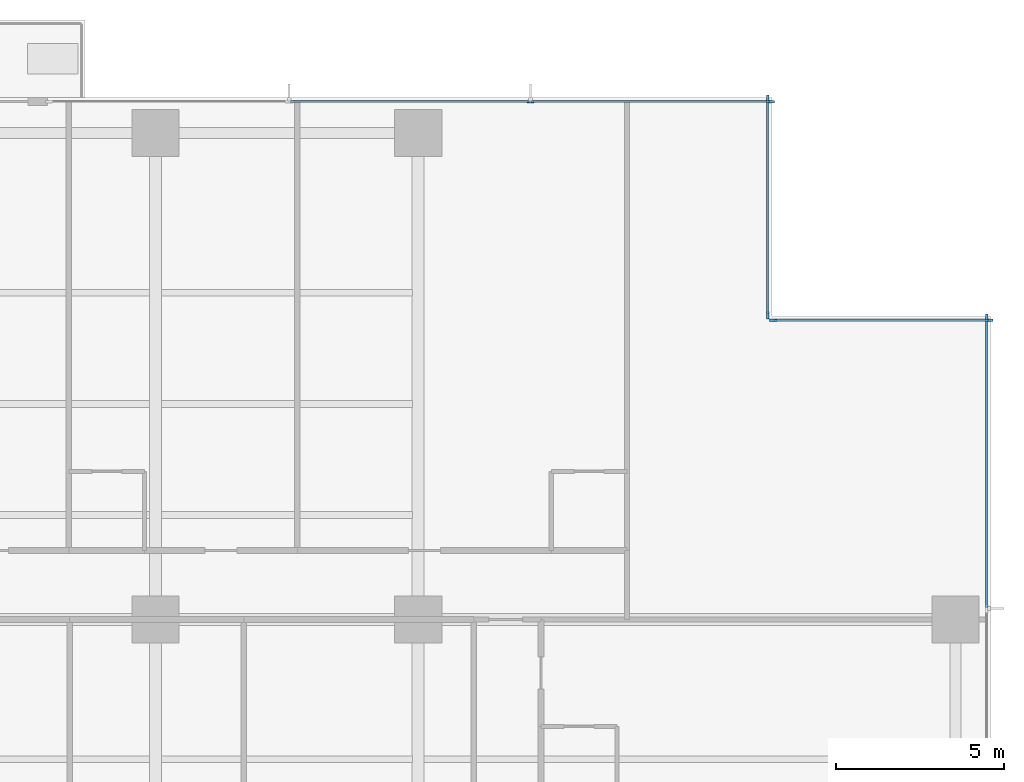
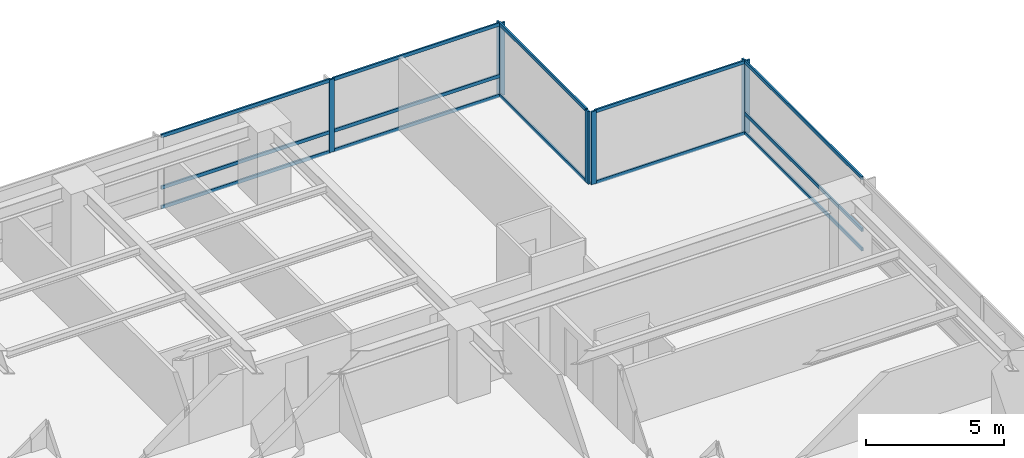
# One storey, part 5 of 16: 20 members, 4 elements without a shape of their own.
"""IFC4 building model written with IfcOpenShell, lengths in metres."""

from ifc_helpers import new_model, si_unit, direction, frame, origin, origin_2d, place, context, subcontext, project, spatial, rectangle, extrude, material, layer, layer_set, material_profile, profile_set, type_object, element, aggregate, save


model = new_model("IFC4")

# Units and contexts
model_context = context("Model", 3, precision=1e-05, world=origin(), true_north=direction((0.0, 1.0)))
body_context = subcontext(model_context, "Body", "Model", "MODEL_VIEW")
ifc_project = project(units=[si_unit("LENGTHUNIT", "METRE"), si_unit("AREAUNIT", "SQUARE_METRE"), si_unit("VOLUMEUNIT", "CUBIC_METRE"), si_unit("PLANEANGLEUNIT", "RADIAN"), si_unit("MASSUNIT", "GRAM", prefix="KILO")], contexts=[model_context])

# Site, building, storey
site_placement = place(None, origin())
site = spatial("IfcSite", under=ifc_project, at=site_placement, CompositionType="ELEMENT")
building_placement = place(site_placement, origin())
building = spatial("IfcBuilding", under=site, at=building_placement, Name="Qalmaran Belvedere Hotel", CompositionType="ELEMENT")
storey_placement = place(building_placement, frame((0.0, 0.0, 36.89990234375)))
storey = spatial("IfcBuildingStorey", under=building, at=storey_placement, Name="L08", CompositionType="ELEMENT", Elevation=36.89990234375)

# Curtain wall, member
ifc_material = material(Name="Anodised Bronze Aluminium", Category="aluminium")
ifc_layer = layer(ifc_material, 0.2099609375, Name="Anodised Bronze Aluminium")
ifc_layer_set = layer_set([ifc_layer], Name="Anodised Bronze Aluminium")
curtain_wall_type = type_object("IfcCurtainWallType", Name="CW2-TOWER-LOWER", PredefinedType="NOTDEFINED", material=ifc_layer_set)
curtain_wall_1_placement = place(storey_placement, origin())
curtain_wall_1 = element("IfcCurtainWall", 1, at=curtain_wall_1_placement, inside=storey, type_object=curtain_wall_type, Name="L08 Curtain Wall CW2", PredefinedType="NOTDEFINED")
ifc_material_profile_1 = material_profile(ifc_material, rectangle(XDim=0.074951171875, YDim=0.219970703125, at=origin_2d()), Name="CWM75X220")
ifc_profile_set_1 = profile_set([ifc_material_profile_1], Name="Anodised Bronze Aluminium")
member_type_1 = type_object("IfcMemberType", Name="CWM-75X220", PredefinedType="MULLION", material=ifc_profile_set_1)
member_1_placement = place(storey_placement, frame((61.679931640625, 41.96240234375, 0.0), z_axis=(0.0, 0.0, 1.0), x_axis=(-1.0, 0.0, 0.0)))
member_1 = element("IfcMember", 2, at=member_1_placement, type_object=member_type_1, Name="CW2 mullion 5", PredefinedType="MULLION", context=body_context, shape_type="SweptSolid", body=[
    extrude(rectangle(XDim=0.074951171875, YDim=0.219970703125, at=origin_2d()), origin(), (0.0, 0.0, 1.0), 3.22021484375),
])

# Curtain wall, members
curtain_wall_2_placement = place(storey_placement, origin())
curtain_wall_2 = element("IfcCurtainWall", 3, at=curtain_wall_2_placement, inside=storey, type_object=curtain_wall_type, Name="L08 Curtain Wall CW2", PredefinedType="NOTDEFINED")
member_2_placement = place(storey_placement, frame((61.762451171875, 41.8798828125, 0.0), z_axis=(0.0, 0.0, 1.0), x_axis=(0.0, -1.0, 0.0)))
member_2 = element("IfcMember", 4, at=member_2_placement, type_object=member_type_1, Name="CW2 mullion 1", PredefinedType="MULLION", context=body_context, shape_type="SweptSolid", body=[
    extrude(rectangle(XDim=0.074951171875, YDim=0.219970703125, at=origin_2d()), origin(), (0.0, 0.0, 1.0), 3.22021484375),
])
member_3_placement = place(storey_placement, frame((55.33740234375, 41.8798828125, 0.0), z_axis=(0.0, 0.0, 1.0), x_axis=(0.0, -1.0, 0.0)))
member_3 = element("IfcMember", 5, at=member_3_placement, type_object=member_type_1, Name="CW2 mullion 2", PredefinedType="MULLION", context=body_context, shape_type="SweptSolid", body=[
    extrude(rectangle(XDim=0.074951171875, YDim=0.219970703125, at=origin_2d()), origin(), (0.0, 0.0, 1.0), 3.22021484375),
])

curtain_wall_3_placement = place(storey_placement, origin())
curtain_wall_3 = element("IfcCurtainWall", 6, at=curtain_wall_3_placement, inside=storey, type_object=curtain_wall_type, Name="L08 Curtain Wall CW2", PredefinedType="NOTDEFINED")
member_4_placement = place(storey_placement, frame((55.179931640625, 42.03759765625, 0.0), z_axis=(0.0, 0.0, 1.0), x_axis=(-1.0, 0.0, 0.0)))
member_4 = element("IfcMember", 7, at=member_4_placement, type_object=member_type_1, Name="CW2 mullion 1", PredefinedType="MULLION", context=body_context, shape_type="SweptSolid", body=[
    extrude(rectangle(XDim=0.074951171875, YDim=0.219970703125, at=origin_2d()), origin(), (0.0, 0.0, 1.0), 3.22021484375),
])
member_5_placement = place(storey_placement, frame((55.179931640625, 48.46240234375, 0.0), z_axis=(0.0, 0.0, 1.0), x_axis=(-1.0, 0.0, 0.0)))
member_5 = element("IfcMember", 8, at=member_5_placement, type_object=member_type_1, Name="CW2 mullion 2", PredefinedType="MULLION", context=body_context, shape_type="SweptSolid", body=[
    extrude(rectangle(XDim=0.074951171875, YDim=0.219970703125, at=origin_2d()), origin(), (0.0, 0.0, 1.0), 3.22021484375),
])

curtain_wall_4_placement = place(storey_placement, origin())
curtain_wall_4 = element("IfcCurtainWall", 9, at=curtain_wall_4_placement, inside=storey, type_object=curtain_wall_type, Name="L08 Curtain Wall CW2", PredefinedType="NOTDEFINED")
member_6_placement = place(storey_placement, frame((55.262451171875, 48.3798828125, 0.0), z_axis=(0.0, 0.0, 1.0), x_axis=(0.0, -1.0, 0.0)))
member_6 = element("IfcMember", 10, at=member_6_placement, type_object=member_type_1, Name="CW2 mullion 1", PredefinedType="MULLION", context=body_context, shape_type="SweptSolid", body=[
    extrude(rectangle(XDim=0.074951171875, YDim=0.219970703125, at=origin_2d()), origin(), (0.0, 0.0, 1.0), 3.22021484375),
])
member_7_placement = place(storey_placement, frame((48.13330078125, 48.3798828125, 0.0), z_axis=(0.0, 0.0, 1.0), x_axis=(0.0, -1.0, 0.0)))
member_7 = element("IfcMember", 11, at=member_7_placement, type_object=member_type_1, Name="CW2 mullion 2", PredefinedType="MULLION", context=body_context, shape_type="SweptSolid", body=[
    extrude(rectangle(XDim=0.074951171875, YDim=0.219970703125, at=origin_2d()), origin(), (0.0, 0.0, 1.0), 3.22021484375),
])

# Member
ifc_material_profile_2 = material_profile(ifc_material, rectangle(XDim=0.070068359375, YDim=0.14990234375, at=origin_2d()), Name="CWT70X150")
ifc_profile_set_2 = profile_set([ifc_material_profile_2], Name="Anodised Bronze Aluminium")
member_type_2 = type_object("IfcMemberType", Name="CWT-70X150", PredefinedType="USERDEFINED", material=ifc_profile_set_2)
member_8_placement = place(storey_placement, frame((61.679931640625, 33.362548828125, 0.03515625), z_axis=(0.0, 1.0, 0.0), x_axis=(-1.0, 0.0, 0.0)))
member_8 = element("IfcMember", 12, at=member_8_placement, type_object=member_type_2, Name="CW2 transom 4.1", ObjectType="TRANSOM", PredefinedType="USERDEFINED", context=body_context, shape_type="SweptSolid", body=[
    extrude(rectangle(XDim=0.070068359375, YDim=0.14990234375, at=origin_2d()), origin(), (0.0, 0.0, 1.0), 8.5625),
])

member_9_placement = place(storey_placement, frame((61.679931640625, 33.362548828125, 0.901611328125), z_axis=(0.0, 1.0, 0.0), x_axis=(-1.0, 0.0, 0.0)))
member_9 = element("IfcMember", 13, at=member_9_placement, type_object=member_type_2, Name="CW2 transom 4.2", ObjectType="TRANSOM", PredefinedType="USERDEFINED", context=body_context, shape_type="SweptSolid", body=[
    extrude(rectangle(XDim=0.070068359375, YDim=0.14990234375, at=origin_2d()), origin(), (0.0, 0.0, 1.0), 8.5625),
])

member_10_placement = place(storey_placement, frame((61.679931640625, 33.362548828125, 3.18505859375), z_axis=(0.0, 1.0, 0.0), x_axis=(-1.0, 0.0, 0.0)))
member_10 = element("IfcMember", 14, at=member_10_placement, type_object=member_type_2, Name="CW2 transom 4.3", ObjectType="TRANSOM", PredefinedType="USERDEFINED", context=body_context, shape_type="SweptSolid", body=[
    extrude(rectangle(XDim=0.070068359375, YDim=0.14990234375, at=origin_2d()), origin(), (0.0, 0.0, 1.0), 8.5625),
])

aggregate(curtain_wall_1, [member_1, member_8, member_9, member_10])

member_11_placement = place(storey_placement, frame((61.72509765625, 41.8798828125, 0.03515625), z_axis=(-1.0, 0.0, 0.0), x_axis=(0.0, -1.0, 0.0)))
member_11 = element("IfcMember", 15, at=member_11_placement, type_object=member_type_2, Name="CW2 transom 1.1", ObjectType="TRANSOM", PredefinedType="USERDEFINED", context=body_context, shape_type="SweptSolid", body=[
    extrude(rectangle(XDim=0.070068359375, YDim=0.14990234375, at=origin_2d()), origin(), (0.0, 0.0, 1.0), 6.35009765625),
])

member_12_placement = place(storey_placement, frame((61.72509765625, 41.8798828125, 3.18505859375), z_axis=(-1.0, 0.0, 0.0), x_axis=(0.0, -1.0, 0.0)))
member_12 = element("IfcMember", 16, at=member_12_placement, type_object=member_type_2, Name="CW2 transom 1.2", ObjectType="TRANSOM", PredefinedType="USERDEFINED", context=body_context, shape_type="SweptSolid", body=[
    extrude(rectangle(XDim=0.070068359375, YDim=0.14990234375, at=origin_2d()), origin(), (0.0, 0.0, 1.0), 6.35009765625),
])

aggregate(curtain_wall_2, [member_2, member_3, member_11, member_12])

member_13_placement = place(storey_placement, frame((55.179931640625, 42.074951171875, 0.03515625), z_axis=(0.0, 1.0, 0.0), x_axis=(-1.0, 0.0, 0.0)))
member_13 = element("IfcMember", 17, at=member_13_placement, type_object=member_type_2, Name="CW2 transom 1.1", ObjectType="TRANSOM", PredefinedType="USERDEFINED", context=body_context, shape_type="SweptSolid", body=[
    extrude(rectangle(XDim=0.070068359375, YDim=0.14990234375, at=origin_2d()), origin(), (0.0, 0.0, 1.0), 6.35009765625),
])

member_14_placement = place(storey_placement, frame((55.179931640625, 42.074951171875, 3.18505859375), z_axis=(0.0, 1.0, 0.0), x_axis=(-1.0, 0.0, 0.0)))
member_14 = element("IfcMember", 18, at=member_14_placement, type_object=member_type_2, Name="CW2 transom 1.2", ObjectType="TRANSOM", PredefinedType="USERDEFINED", context=body_context, shape_type="SweptSolid", body=[
    extrude(rectangle(XDim=0.070068359375, YDim=0.14990234375, at=origin_2d()), origin(), (0.0, 0.0, 1.0), 6.35009765625),
])

aggregate(curtain_wall_3, [member_4, member_5, member_13, member_14])

member_15_placement = place(storey_placement, frame((55.22509765625, 48.3798828125, 0.03515625), z_axis=(-1.0, 0.0, 0.0), x_axis=(0.0, -1.0, 0.0)))
member_15 = element("IfcMember", 19, at=member_15_placement, type_object=member_type_2, Name="CW2 transom 1.1", ObjectType="TRANSOM", PredefinedType="USERDEFINED", context=body_context, shape_type="SweptSolid", body=[
    extrude(rectangle(XDim=0.070068359375, YDim=0.14990234375, at=origin_2d()), origin(), (0.0, 0.0, 1.0), 7.05419921875),
])

member_16_placement = place(storey_placement, frame((55.22509765625, 48.3798828125, 0.901611328125), z_axis=(-1.0, 0.0, 0.0), x_axis=(0.0, -1.0, 0.0)))
member_16 = element("IfcMember", 20, at=member_16_placement, type_object=member_type_2, Name="CW2 transom 1.2", ObjectType="TRANSOM", PredefinedType="USERDEFINED", context=body_context, shape_type="SweptSolid", body=[
    extrude(rectangle(XDim=0.070068359375, YDim=0.14990234375, at=origin_2d()), origin(), (0.0, 0.0, 1.0), 7.05419921875),
])

member_17_placement = place(storey_placement, frame((55.22509765625, 48.3798828125, 3.18505859375), z_axis=(-1.0, 0.0, 0.0), x_axis=(0.0, -1.0, 0.0)))
member_17 = element("IfcMember", 21, at=member_17_placement, type_object=member_type_2, Name="CW2 transom 1.3", ObjectType="TRANSOM", PredefinedType="USERDEFINED", context=body_context, shape_type="SweptSolid", body=[
    extrude(rectangle(XDim=0.070068359375, YDim=0.14990234375, at=origin_2d()), origin(), (0.0, 0.0, 1.0), 7.05419921875),
])

member_18_placement = place(storey_placement, frame((48.095947265625, 48.3798828125, 0.03515625), z_axis=(-1.0, 0.0, 0.0), x_axis=(0.0, -1.0, 0.0)))
member_18 = element("IfcMember", 22, at=member_18_placement, type_object=member_type_2, Name="CW2 transom 2.1", ObjectType="TRANSOM", PredefinedType="USERDEFINED", context=body_context, shape_type="SweptSolid", body=[
    extrude(rectangle(XDim=0.070068359375, YDim=0.14990234375, at=origin_2d()), origin(), (0.0, 0.0, 1.0), 7.091796875),
])

member_19_placement = place(storey_placement, frame((48.095947265625, 48.3798828125, 0.901611328125), z_axis=(-1.0, 0.0, 0.0), x_axis=(0.0, -1.0, 0.0)))
member_19 = element("IfcMember", 23, at=member_19_placement, type_object=member_type_2, Name="CW2 transom 2.2", ObjectType="TRANSOM", PredefinedType="USERDEFINED", context=body_context, shape_type="SweptSolid", body=[
    extrude(rectangle(XDim=0.070068359375, YDim=0.14990234375, at=origin_2d()), origin(), (0.0, 0.0, 1.0), 7.091796875),
])

member_20_placement = place(storey_placement, frame((48.095947265625, 48.3798828125, 3.18505859375), z_axis=(-1.0, 0.0, 0.0), x_axis=(0.0, -1.0, 0.0)))
member_20 = element("IfcMember", 24, at=member_20_placement, type_object=member_type_2, Name="CW2 transom 2.3", ObjectType="TRANSOM", PredefinedType="USERDEFINED", context=body_context, shape_type="SweptSolid", body=[
    extrude(rectangle(XDim=0.070068359375, YDim=0.14990234375, at=origin_2d()), origin(), (0.0, 0.0, 1.0), 7.091796875),
])

aggregate(curtain_wall_4, [member_6, member_7, member_15, member_16, member_17, member_18, member_19, member_20])

save(model, "model.ifc")
